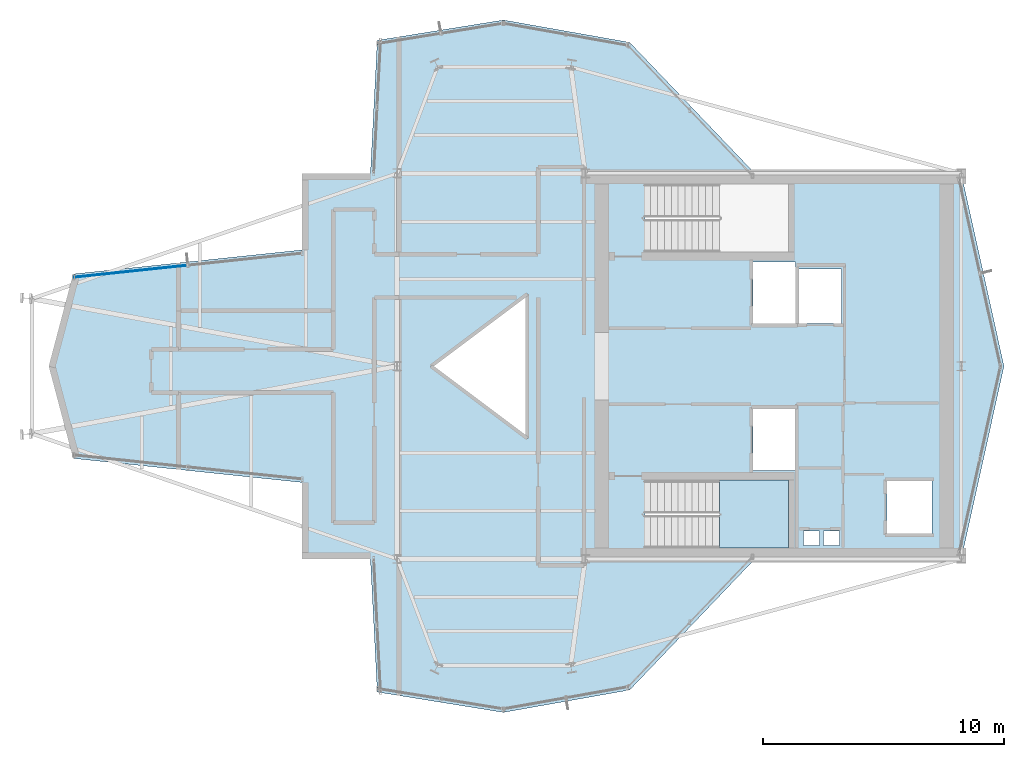
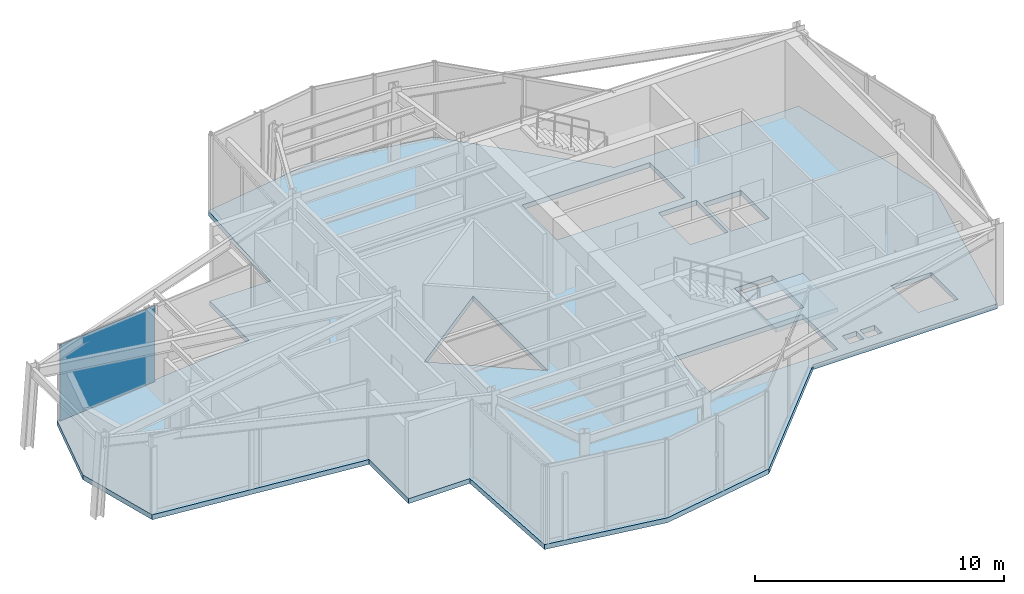
# One storey, part 9 of 14: 2 slabs, 1 plate, 2 elements without a shape of their own.
"""IFC4 building model written with IfcOpenShell, lengths in metres."""

from ifc_helpers import new_model, si_unit, direction, frame, origin, origin_2d, place, context, subcontext, project, spatial, polyline, rectangle, outline, extrude, material, layer, layer_set, type_object, element, aggregate, save


model = new_model("IFC4")

# Units and contexts
model_context = context("Model", 3, precision=1e-05, world=origin(), true_north=direction((0.0, 1.0)))
body_context = subcontext(model_context, "Body", "Model", "MODEL_VIEW")
ifc_project = project(units=[si_unit("LENGTHUNIT", "METRE"), si_unit("AREAUNIT", "SQUARE_METRE"), si_unit("VOLUMEUNIT", "CUBIC_METRE"), si_unit("PLANEANGLEUNIT", "RADIAN"), si_unit("MASSUNIT", "GRAM", prefix="KILO")], contexts=[model_context])

# Site, building, storey
site_placement = place(None, origin())
site = spatial("IfcSite", under=ifc_project, at=site_placement, CompositionType="ELEMENT")
building_placement = place(site_placement, origin())
building = spatial("IfcBuilding", under=site, at=building_placement, Name="Veymaron Broadcast Tower", CompositionType="ELEMENT")
storey_placement = place(building_placement, frame((0.0, 0.0, 299.25)))
storey = spatial("IfcBuildingStorey", under=building, at=storey_placement, Name="L70", CompositionType="ELEMENT", Elevation=299.25)

# Curtain wall, plate
ifc_material_1 = material(Name="Anodised aluminium AA 6063-T6 and laminated low-E dark glass", Category="aluminium")
ifc_layer_1 = layer(ifc_material_1, 0.179931640625)
ifc_layer_set_1 = layer_set([ifc_layer_1], Name="Anodised aluminium AA 6063-T6 and laminated low-E dark glass")
curtain_wall_type = type_object("IfcCurtainWallType", Name="CW-SYS-06", PredefinedType="NOTDEFINED", material=ifc_layer_set_1)
curtain_wall_placement = place(storey_placement, origin())
curtain_wall = element("IfcCurtainWall", 1, at=curtain_wall_placement, inside=storey, type_object=curtain_wall_type, Name="L70 dark-glass curtain wall CW-L70-E11-1", PredefinedType="NOTDEFINED")
ifc_material_2 = material(Name="Insulated dark-anodised aluminium spandrel panel 40 mm", Category="aluminium")
ifc_layer_2 = layer(ifc_material_2, 0.0400390625)
ifc_layer_set_2 = layer_set([ifc_layer_2], Name="Insulated dark-anodised aluminium spandrel panel 40 mm")
plate_type = type_object("IfcPlateType", Name="CW-PNL-03", PredefinedType="CURTAIN_PANEL", material=ifc_layer_set_2)
plate_placement = place(storey_placement, frame((20.14697265625, 27.935546875, 0.0400390625), z_axis=(0.0, 0.0, 1.0), x_axis=(-0.994518246031, -0.104563178567, 0.0)))
plate = element("IfcPlate", 2, at=plate_placement, type_object=plate_type, Name="CW-L70-E11-1 unitised curtain panel 1", PredefinedType="CURTAIN_PANEL", context=body_context, shape_type="SweptSolid", body=[
    extrude(rectangle(XDim=4.7109375, YDim=0.0400390625, at=origin_2d()), origin(), (0.0, 0.0, 1.0), 3.72998046875),
])
aggregate(curtain_wall, [plate])

# Slab
ifc_material_3 = material(Name="Concrete C40/50", Category="concrete")
ifc_layer_3 = layer(ifc_material_3, 0.239990234375)
ifc_layer_set_3 = layer_set([ifc_layer_3], Name="Concrete C40/50")
slab_type_1 = type_object("IfcSlabType", Name="SLAB-FS6", PredefinedType="FLOOR", material=ifc_layer_set_3)
slab_1_placement = place(storey_placement, frame((0.0, 0.0, -0.239990234375)))
element("IfcSlab", 3, at=slab_1_placement, inside=storey, type_object=slab_type_1, Name="L70 structural floor slab", PredefinedType="FLOOR", context=body_context, shape_type="SweptSolid", body=[
    extrude(outline(polyline([(46.035400390625, 16.0), (54.60009765625, 16.0), (56.372314453125, 24.0), (54.60009765625, 32.0), (46.035400390625, 32.0), (40.843994140625, 37.432861328125), (35.609130859375, 38.361083984375), (30.37451171875, 37.51708984375), (30.0908203125, 32.0), (27.24951171875, 32.0), (27.24951171875, 28.822998046875), (17.760009765625, 27.8251953125), (16.747314453125, 24.0), (17.760009765625, 20.1748046875), (27.24951171875, 19.177001953125), (27.24951171875, 16.0), (30.0908203125, 16.0), (30.37451171875, 10.48291015625), (35.609130859375, 9.638916015625), (40.843994140625, 10.567138671875), (46.035400390625, 16.0)]), holes=[polyline([(45.969970703125, 28.330078125), (47.72998046875, 28.330078125), (47.72998046875, 25.77001953125), (45.969970703125, 25.77001953125), (45.969970703125, 28.330078125)]), polyline([(45.969970703125, 22.22998046875), (47.72998046875, 22.22998046875), (47.72998046875, 19.669921875), (45.969970703125, 19.669921875), (45.969970703125, 22.22998046875)]), polyline([(47.8701171875, 28.030029296875), (49.6298828125, 28.030029296875), (49.6298828125, 25.77001953125), (47.8701171875, 25.77001953125), (47.8701171875, 28.030029296875)]), polyline([(51.52001953125, 19.22998046875), (53.3798828125, 19.22998046875), (53.3798828125, 17.070068359375), (51.52001953125, 17.070068359375), (51.52001953125, 19.22998046875)]), polyline([(48.050048828125, 17.159912109375), (48.719970703125, 17.159912109375), (48.719970703125, 16.56005859375), (48.050048828125, 16.56005859375), (48.050048828125, 17.159912109375)]), polyline([(48.8798828125, 17.159912109375), (49.550048828125, 17.159912109375), (49.550048828125, 16.56005859375), (48.8798828125, 16.56005859375), (48.8798828125, 17.159912109375)]), polyline([(36.60009765625, 27.0), (36.60009765625, 21.0), (32.60009765625, 24.0), (36.60009765625, 27.0)]), polyline([(41.489990234375, 31.550048828125), (47.43994140625, 31.550048828125), (47.43994140625, 28.72998046875), (41.489990234375, 28.72998046875), (41.489990234375, 31.550048828125)]), polyline([(41.489990234375, 19.27001953125), (47.43994140625, 19.27001953125), (47.43994140625, 16.449951171875), (41.489990234375, 16.449951171875), (41.489990234375, 19.27001953125)])]), origin(), (0.0, 0.0, 1.0), 0.239990234375),
])

# Stair, slab
ifc_material_4 = material(Name="Concrete C50/60", Category="concrete")
stair_type = type_object("IfcStairType", Name="STAIR-CORE-2", PredefinedType="HALF_TURN_STAIR", material=ifc_material_4)
stair_placement = place(storey_placement, origin())
stair = element("IfcStair", 4, at=stair_placement, inside=storey, type_object=stair_type, Name="L70 South protected dog-leg exit stair ST2", PredefinedType="HALF_TURN_STAIR")
ifc_layer_4 = layer(ifc_material_4, 0.199951171875)
ifc_layer_set_4 = layer_set([ifc_layer_4], Name="Concrete C50/60")
slab_type_2 = type_object("IfcSlabType", Name="SLAB-STAIR-LDG", PredefinedType="LANDING", material=ifc_layer_set_4)
slab_2_placement = place(storey_placement, frame((0.0, 0.0, 1.824951171875)))
slab_2 = element("IfcSlab", 5, at=slab_2_placement, type_object=slab_type_2, Name="ST2 landing 1", PredefinedType="LANDING", context=body_context, shape_type="SweptSolid", body=[
    extrude(outline(polyline([(44.56494140625, 16.449951171875), (47.43994140625, 16.449951171875), (47.43994140625, 19.27001953125), (44.56494140625, 19.27001953125), (44.56494140625, 16.449951171875)])), origin(), (0.0, 0.0, 1.0), 0.199951171875),
])
aggregate(stair, [slab_2])

save(model, "model.ifc")
